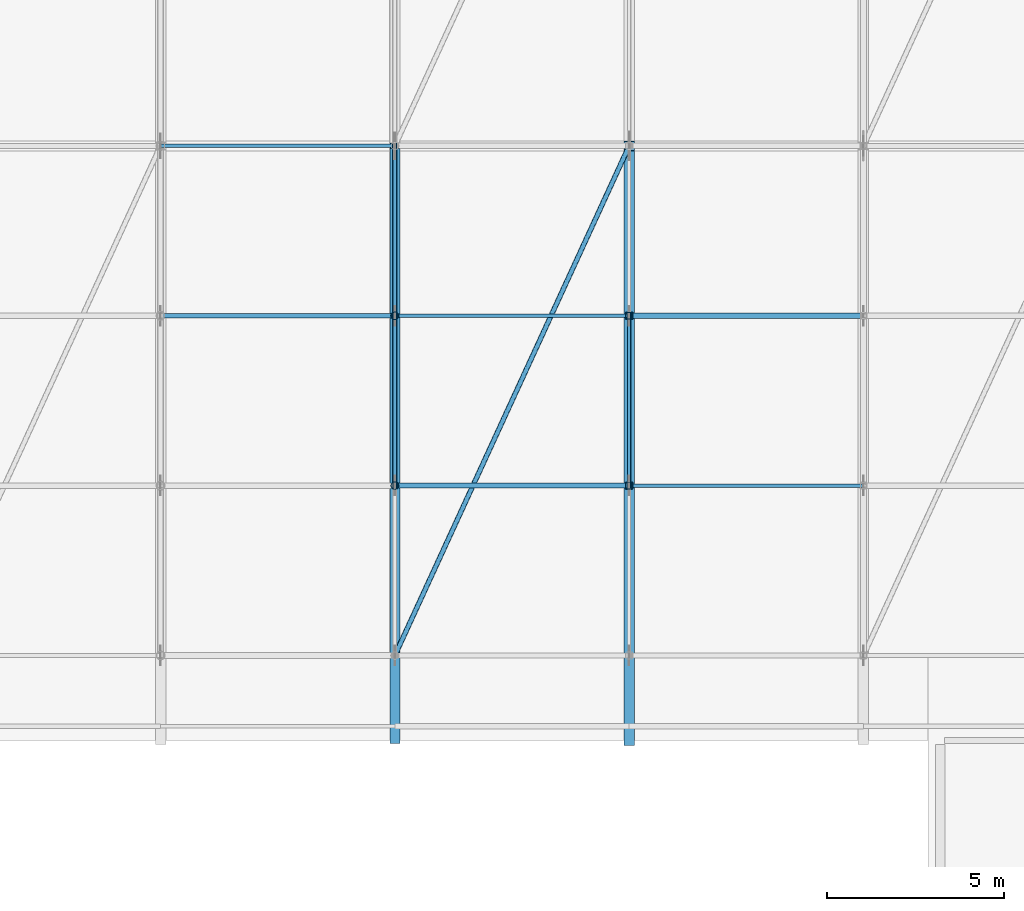
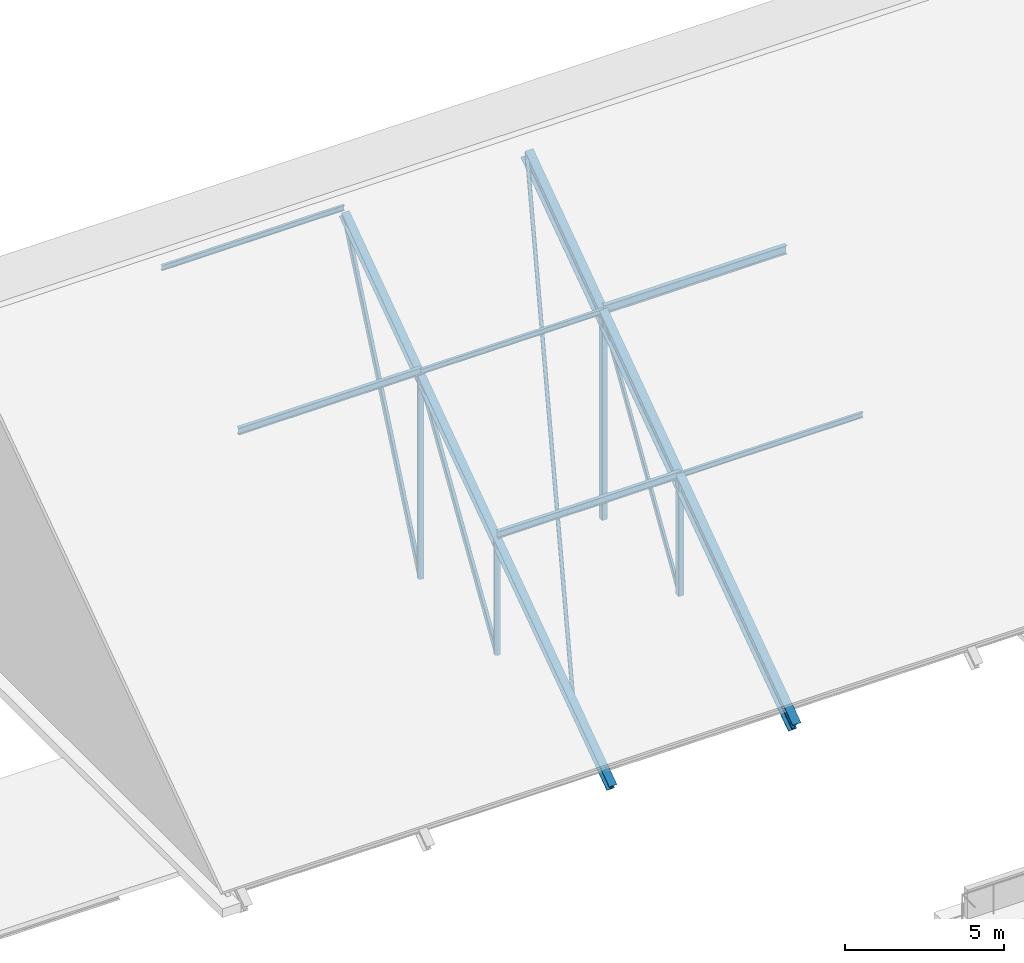
# One storey, part 53 of 134: 16 members.
"""IFC4 building model written with IfcOpenShell, lengths in metres."""

from ifc_helpers import new_model, si_unit, direction, frame, origin, origin_2d, place, context, subcontext, project, spatial, hollow_rectangle, hollow_circle, i_section, extrude, material, material_profile, profile_set, type_object, element, save


model = new_model("IFC4")

# Units and contexts
model_context = context("Model", 3, precision=1e-05, world=origin(), true_north=direction((0.0, 1.0)))
body_context = subcontext(model_context, "Body", "Model", "MODEL_VIEW")
ifc_project = project(units=[si_unit("LENGTHUNIT", "METRE"), si_unit("AREAUNIT", "SQUARE_METRE"), si_unit("VOLUMEUNIT", "CUBIC_METRE"), si_unit("PLANEANGLEUNIT", "RADIAN"), si_unit("MASSUNIT", "GRAM", prefix="KILO")], contexts=[model_context])

# Site, building, storey
site_placement = place(None, origin())
site = spatial("IfcSite", under=ifc_project, at=site_placement, CompositionType="ELEMENT")
building_placement = place(site_placement, origin())
building = spatial("IfcBuilding", under=site, at=building_placement, Name="Asteropetra Specialist Clinic", CompositionType="ELEMENT")
storey_placement = place(building_placement, frame((0.0, 0.0, 8.5)))
storey = spatial("IfcBuildingStorey", under=building, at=storey_placement, Name="L02", CompositionType="ELEMENT", Elevation=8.5)

# Members
ifc_material_1 = material(Name="Steel S355", Category="steel")
ifc_material_profile_1 = material_profile(ifc_material_1, hollow_circle(Radius=0.06982421875, WallThickness=0.008056640625, at=origin_2d()), Name="CHS 139.7x8.0")
ifc_profile_set_1 = profile_set([ifc_material_profile_1], Name="Steel S355")
member_type_1 = type_object("IfcMemberType", Name="TR-BRC-CHS139", PredefinedType="BRACE", material=ifc_profile_set_1)
member_1_placement = place(storey_placement, frame((100.139892578125, 76.800048828125, 1.3466796875), z_axis=(0.352113296071, 0.76590745054, 0.537960968787), x_axis=(-0.908582368877, 0.417705732503, 0.0)))
element("IfcMember", 1, at=member_1_placement, inside=storey, type_object=member_type_1, Name="Roof Wind Brace TRV1-RB1-03", PredefinedType="BRACE", context=body_context, shape_type="SweptSolid", body=[
    extrude(hollow_circle(Radius=0.06982421875, WallThickness=0.008056640625, at=origin_2d()), origin(), (0.0, 0.0, 1.0), 18.801025390625),
])
ifc_material_2 = material(Name="Steel S355", Category="steel")
ifc_material_profile_2 = material_profile(ifc_material_2, hollow_rectangle(XDim=0.10009765625, YDim=0.179931640625, WallThickness=0.008056640625, InnerFilletRadius=0.008056640625, OuterFilletRadius=0.01611328125, at=origin_2d()), Name="RHS 180x100x8.0")
ifc_profile_set_2 = profile_set([ifc_material_profile_2], Name="Steel S355")
member_type_2 = type_object("IfcMemberType", Name="TR-BRC-RHS180", PredefinedType="BRACE", material=ifc_profile_set_2)
member_2_placement = place(storey_placement, frame((106.760009765625, 81.60009765625, 0.3701171875), z_axis=(0.0, 0.528029932353, 0.849225759465), x_axis=(-1.0, 0.0, 0.0)))
element("IfcMember", 2, at=member_2_placement, inside=storey, type_object=member_type_2, Name="Truss Web Diagonal TRV1-D04-1", PredefinedType="BRACE", context=body_context, shape_type="SweptSolid", body=[
    extrude(hollow_rectangle(XDim=0.10009765625, YDim=0.179931640625, WallThickness=0.008056640625, InnerFilletRadius=0.008056640625, OuterFilletRadius=0.01611328125, at=origin_2d()), origin(), (0.0, 0.0, 1.0), 9.090087890625),
])
ifc_material_3 = material(Name="Steel S355", Category="steel")
ifc_material_profile_3 = material_profile(ifc_material_3, hollow_rectangle(XDim=0.1201171875, YDim=0.199951171875, WallThickness=0.010009765625, InnerFilletRadius=0.008056640625, OuterFilletRadius=0.01611328125, at=origin_2d()), Name="RHS 200x120x10.0")
ifc_profile_set_3 = profile_set([ifc_material_profile_3], Name="Steel S355")
member_type_3 = type_object("IfcMemberType", Name="TR-BRC-RHS200", PredefinedType="BRACE", material=ifc_profile_set_3)
member_3_placement = place(storey_placement, frame((100.139892578125, 81.60009765625, 0.419921875), z_axis=(0.0, 0.530496073374, 0.847687392932), x_axis=(-1.0, 0.0, 0.0)))
element("IfcMember", 3, at=member_3_placement, inside=storey, type_object=member_type_3, Name="Truss Web Diagonal TRV1-D03-1", PredefinedType="BRACE", context=body_context, shape_type="SweptSolid", body=[
    extrude(hollow_rectangle(XDim=0.1201171875, YDim=0.199951171875, WallThickness=0.010009765625, InnerFilletRadius=0.008056640625, OuterFilletRadius=0.01611328125, at=origin_2d()), origin(), (0.0, 0.0, 1.0), 9.0478515625),
])
member_4_placement = place(storey_placement, frame((100.139892578125, 86.39990234375, 0.419921875), z_axis=(0.0, 0.398698675406, 0.917081984465), x_axis=(-1.0, 0.0, 0.0)))
element("IfcMember", 4, at=member_4_placement, inside=storey, type_object=member_type_3, Name="Truss Web Diagonal TRV1-D03-2", PredefinedType="BRACE", context=body_context, shape_type="SweptSolid", body=[
    extrude(hollow_rectangle(XDim=0.1201171875, YDim=0.199951171875, WallThickness=0.010009765625, InnerFilletRadius=0.008056640625, OuterFilletRadius=0.01611328125, at=origin_2d()), origin(), (0.0, 0.0, 1.0), 12.039306640625),
])
ifc_material_4 = material(Name="Steel S355", Category="steel")
ifc_material_profile_4 = material_profile(ifc_material_4, i_section(OverallWidth=0.300048828125, OverallDepth=0.489990234375, WebThickness=0.011962890625, FlangeThickness=0.02294921875, FilletRadius=0.027099609375, at=origin_2d()), Name="HEA 500")
ifc_profile_set_4 = profile_set([ifc_material_profile_4], Name="Steel S355")
member_type_4 = type_object("IfcMemberType", Name="TR-CHD-HEA500", PredefinedType="CHORD", material=ifc_profile_set_4)
member_5_placement = place(storey_placement, frame((106.760009765625, 74.39990234375, -0.339111328125), z_axis=(0.0, 0.818315202226, 0.574769718936), x_axis=(-1.0, 0.0, 0.0)))
element("IfcMember", 5, at=member_5_placement, inside=storey, type_object=member_type_4, Name="Truss South Top Chord TRV1-TCS04", PredefinedType="CHORD", context=body_context, shape_type="SweptSolid", body=[
    extrude(i_section(OverallWidth=0.300048828125, OverallDepth=0.489990234375, WebThickness=0.011962890625, FlangeThickness=0.02294921875, FilletRadius=0.027099609375, at=origin_2d()), origin(), (0.0, 0.0, 1.0), 20.530029296875),
])
ifc_material_5 = material(Name="Steel S355", Category="steel")
ifc_material_profile_5 = material_profile(ifc_material_5, i_section(OverallWidth=0.280029296875, OverallDepth=0.280029296875, WebThickness=0.010498046875, FlangeThickness=0.01806640625, FilletRadius=0.02392578125, at=origin_2d()), Name="HEB 280")
ifc_profile_set_5 = profile_set([ifc_material_profile_5], Name="Steel S355")
member_type_5 = type_object("IfcMemberType", Name="TR-CHD-HEB280", PredefinedType="CHORD", material=ifc_profile_set_5)
member_6_placement = place(storey_placement, frame((100.139892578125, 74.39990234375, -0.339111328125), z_axis=(0.0, 0.818315202226, 0.574769718936), x_axis=(-1.0, 0.0, 0.0)))
element("IfcMember", 6, at=member_6_placement, inside=storey, type_object=member_type_5, Name="Truss South Top Chord TRV1-TCS03", PredefinedType="CHORD", context=body_context, shape_type="SweptSolid", body=[
    extrude(i_section(OverallWidth=0.280029296875, OverallDepth=0.280029296875, WebThickness=0.010498046875, FlangeThickness=0.01806640625, FilletRadius=0.02392578125, at=origin_2d()), origin(), (0.0, 0.0, 1.0), 20.530029296875),
])
ifc_material_6 = material(Name="Steel S355", Category="steel")
ifc_material_profile_6 = material_profile(ifc_material_6, i_section(OverallWidth=0.10009765625, OverallDepth=0.199951171875, WebThickness=0.005615234375, FlangeThickness=0.008544921875, FilletRadius=0.011962890625, at=origin_2d()), Name="IPE 200")
ifc_profile_set_6 = profile_set([ifc_material_profile_6], Name="Steel S355")
member_type_6 = type_object("IfcMemberType", Name="TR-PUR-IPE200", PredefinedType="PURLIN", material=ifc_profile_set_6)
member_7_placement = place(storey_placement, frame((93.52001953125, 91.199951171875, 11.69580078125), z_axis=(1.0, 0.0, 0.0), x_axis=(0.0, 1.0, 0.0)))
element("IfcMember", 7, at=member_7_placement, inside=storey, type_object=member_type_6, Name="Roof Purlin TRV1-P02-05", PredefinedType="PURLIN", context=body_context, shape_type="SweptSolid", body=[
    extrude(i_section(OverallWidth=0.10009765625, OverallDepth=0.199951171875, WebThickness=0.005615234375, FlangeThickness=0.008544921875, FilletRadius=0.011962890625, at=origin_2d()), origin(), (0.0, 0.0, 1.0), 6.619873046875),
])
member_8_placement = place(storey_placement, frame((100.139892578125, 86.39990234375, 8.324462890625), z_axis=(1.0, 0.0, 0.0), x_axis=(0.0, 1.0, 0.0)))
element("IfcMember", 8, at=member_8_placement, inside=storey, type_object=member_type_6, Name="Roof Purlin TRV1-P03-04", PredefinedType="PURLIN", context=body_context, shape_type="SweptSolid", body=[
    extrude(i_section(OverallWidth=0.10009765625, OverallDepth=0.199951171875, WebThickness=0.005615234375, FlangeThickness=0.008544921875, FilletRadius=0.011962890625, at=origin_2d()), origin(), (0.0, 0.0, 1.0), 6.6201171875),
])
member_9_placement = place(storey_placement, frame((106.760009765625, 81.60009765625, 4.953125), z_axis=(1.0, 0.0, 0.0), x_axis=(0.0, 1.0, 0.0)))
element("IfcMember", 9, at=member_9_placement, inside=storey, type_object=member_type_6, Name="Roof Purlin TRV1-P04-03", PredefinedType="PURLIN", context=body_context, shape_type="SweptSolid", body=[
    extrude(i_section(OverallWidth=0.10009765625, OverallDepth=0.199951171875, WebThickness=0.005615234375, FlangeThickness=0.008544921875, FilletRadius=0.011962890625, at=origin_2d()), origin(), (0.0, 0.0, 1.0), 6.619873046875),
])
ifc_material_7 = material(Name="Steel S355", Category="steel")
ifc_material_profile_7 = material_profile(ifc_material_7, i_section(OverallWidth=0.135009765625, OverallDepth=0.27001953125, WebThickness=0.006591796875, FlangeThickness=0.01025390625, FilletRadius=0.014892578125, at=origin_2d()), Name="IPE 270")
ifc_profile_set_7 = profile_set([ifc_material_profile_7], Name="Steel S355")
member_type_7 = type_object("IfcMemberType", Name="TR-PUR-IPE270", PredefinedType="PURLIN", material=ifc_profile_set_7)
member_10_placement = place(storey_placement, frame((93.52001953125, 86.39990234375, 8.359619140625), z_axis=(1.0, 0.0, 0.0), x_axis=(0.0, 1.0, 0.0)))
element("IfcMember", 10, at=member_10_placement, inside=storey, type_object=member_type_7, Name="Roof Purlin TRV1-P02-04", PredefinedType="PURLIN", context=body_context, shape_type="SweptSolid", body=[
    extrude(i_section(OverallWidth=0.135009765625, OverallDepth=0.27001953125, WebThickness=0.006591796875, FlangeThickness=0.01025390625, FilletRadius=0.014892578125, at=origin_2d()), origin(), (0.0, 0.0, 1.0), 6.619873046875),
])
member_11_placement = place(storey_placement, frame((100.139892578125, 81.60009765625, 4.988037109375), z_axis=(1.0, 0.0, 0.0), x_axis=(0.0, 1.0, 0.0)))
element("IfcMember", 11, at=member_11_placement, inside=storey, type_object=member_type_7, Name="Roof Purlin TRV1-P03-03", PredefinedType="PURLIN", context=body_context, shape_type="SweptSolid", body=[
    extrude(i_section(OverallWidth=0.135009765625, OverallDepth=0.27001953125, WebThickness=0.006591796875, FlangeThickness=0.01025390625, FilletRadius=0.014892578125, at=origin_2d()), origin(), (0.0, 0.0, 1.0), 6.6201171875),
])
ifc_material_8 = material(Name="Steel S355", Category="steel")
ifc_material_profile_8 = material_profile(ifc_material_8, i_section(OverallWidth=0.159912109375, OverallDepth=0.330078125, WebThickness=0.007568359375, FlangeThickness=0.011474609375, FilletRadius=0.01806640625, at=origin_2d()), Name="IPE 330")
ifc_profile_set_8 = profile_set([ifc_material_profile_8], Name="Steel S355")
member_type_8 = type_object("IfcMemberType", Name="TR-PUR-IPE330", PredefinedType="PURLIN", material=ifc_profile_set_8)
member_12_placement = place(storey_placement, frame((106.760009765625, 86.39990234375, 8.389404296875), z_axis=(1.0, 0.0, 0.0), x_axis=(0.0, 1.0, 0.0)))
element("IfcMember", 12, at=member_12_placement, inside=storey, type_object=member_type_8, Name="Roof Purlin TRV1-P04-04", PredefinedType="PURLIN", context=body_context, shape_type="SweptSolid", body=[
    extrude(i_section(OverallWidth=0.159912109375, OverallDepth=0.330078125, WebThickness=0.007568359375, FlangeThickness=0.011474609375, FilletRadius=0.01806640625, at=origin_2d()), origin(), (0.0, 0.0, 1.0), 6.619873046875),
])
ifc_material_9 = material(Name="Steel S355", Category="steel")
ifc_material_profile_9 = material_profile(ifc_material_9, hollow_circle(Radius=0.109619140625, WallThickness=0.010009765625, at=origin_2d()), Name="CHS 219.1x10.0")
ifc_profile_set_9 = profile_set([ifc_material_profile_9], Name="Steel S355")
member_type_9 = type_object("IfcMemberType", Name="TR-STR-CHS219", PredefinedType="STRUT", material=ifc_profile_set_9)
member_13_placement = place(storey_placement, frame((100.139892578125, 81.60009765625, 0.419921875), z_axis=(0.0, 0.0, 1.0), x_axis=(1.0, 0.0, 0.0)))
element("IfcMember", 13, at=member_13_placement, inside=storey, type_object=member_type_9, Name="Truss Web Strut TRV1-V03-1", PredefinedType="STRUT", context=body_context, shape_type="SweptSolid", body=[
    extrude(hollow_circle(Radius=0.109619140625, WallThickness=0.010009765625, at=origin_2d()), origin(), (0.0, 0.0, 1.0), 4.298095703125),
])
member_14_placement = place(storey_placement, frame((100.139892578125, 86.39990234375, 0.419921875), z_axis=(0.0, 0.0, 1.0), x_axis=(1.0, 0.0, 0.0)))
element("IfcMember", 14, at=member_14_placement, inside=storey, type_object=member_type_9, Name="Truss Web Strut TRV1-V03-2", PredefinedType="STRUT", context=body_context, shape_type="SweptSolid", body=[
    extrude(hollow_circle(Radius=0.109619140625, WallThickness=0.010009765625, at=origin_2d()), origin(), (0.0, 0.0, 1.0), 7.669677734375),
])
ifc_material_10 = material(Name="Steel S355", Category="steel")
ifc_material_profile_10 = material_profile(ifc_material_10, hollow_rectangle(XDim=0.199951171875, YDim=0.199951171875, WallThickness=0.010009765625, InnerFilletRadius=0.008056640625, OuterFilletRadius=0.01611328125, at=origin_2d()), Name="SHS 200x200x10.0")
ifc_profile_set_10 = profile_set([ifc_material_profile_10], Name="Steel S355")
member_type_10 = type_object("IfcMemberType", Name="TR-STR-SHS200", PredefinedType="STRUT", material=ifc_profile_set_10)
member_15_placement = place(storey_placement, frame((106.760009765625, 81.60009765625, 0.3701171875), z_axis=(0.0, 0.0, 1.0), x_axis=(1.0, 0.0, 0.0)))
element("IfcMember", 15, at=member_15_placement, inside=storey, type_object=member_type_10, Name="Truss Web Strut TRV1-V04-1", PredefinedType="STRUT", context=body_context, shape_type="SweptSolid", body=[
    extrude(hollow_rectangle(XDim=0.199951171875, YDim=0.199951171875, WallThickness=0.010009765625, InnerFilletRadius=0.008056640625, OuterFilletRadius=0.01611328125, at=origin_2d()), origin(), (0.0, 0.0, 1.0), 4.347900390625),
])
member_16_placement = place(storey_placement, frame((106.760009765625, 86.39990234375, 0.3701171875), z_axis=(0.0, 0.0, 1.0), x_axis=(1.0, 0.0, 0.0)))
element("IfcMember", 16, at=member_16_placement, inside=storey, type_object=member_type_10, Name="Truss Web Strut TRV1-V04-2", PredefinedType="STRUT", context=body_context, shape_type="SweptSolid", body=[
    extrude(hollow_rectangle(XDim=0.199951171875, YDim=0.199951171875, WallThickness=0.010009765625, InnerFilletRadius=0.008056640625, OuterFilletRadius=0.01611328125, at=origin_2d()), origin(), (0.0, 0.0, 1.0), 7.719482421875),
])

save(model, "model.ifc")
